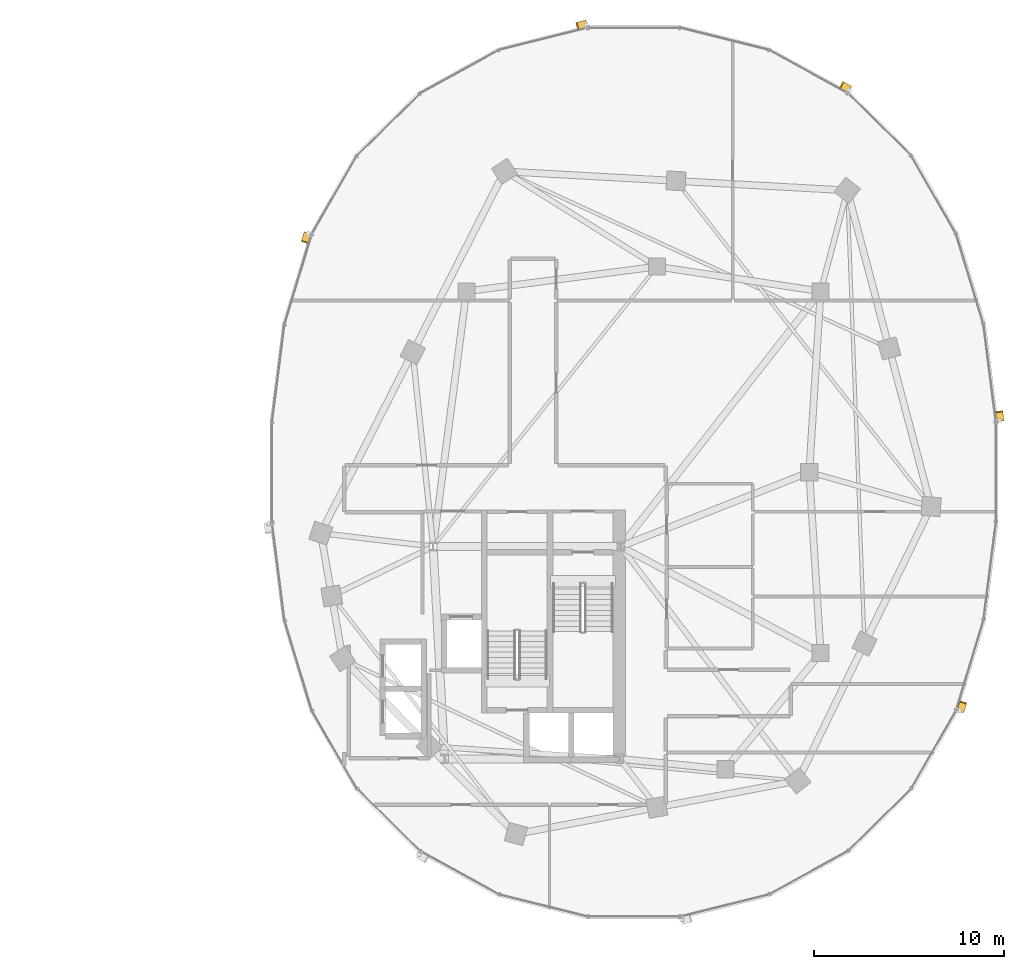
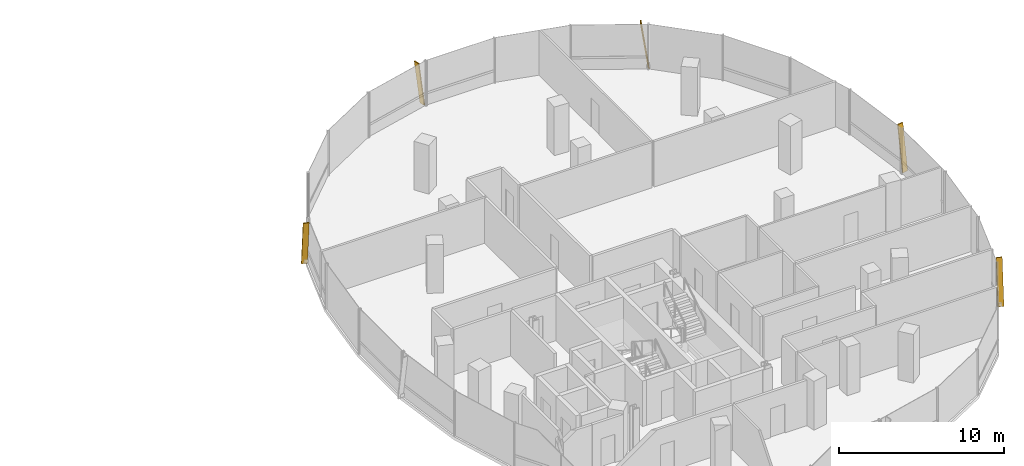
# One storey, part 22 of 22: 5 shading devices.
"""IFC4 building model written with IfcOpenShell, lengths in metres."""

from ifc_helpers import new_model, si_unit, direction, frame, origin, origin_2d, place, context, subcontext, project, spatial, rectangle, extrude, material, material_profile, profile_set, type_object, element, save


model = new_model("IFC4")

# Units and contexts
model_context = context("Model", 3, precision=1e-05, world=origin(), true_north=direction((0.0, 1.0)))
body_context = subcontext(model_context, "Body", "Model", "MODEL_VIEW")
ifc_project = project(units=[si_unit("LENGTHUNIT", "METRE"), si_unit("AREAUNIT", "SQUARE_METRE"), si_unit("VOLUMEUNIT", "CUBIC_METRE"), si_unit("PLANEANGLEUNIT", "RADIAN"), si_unit("MASSUNIT", "GRAM", prefix="KILO"), si_unit("THERMODYNAMICTEMPERATUREUNIT", "KELVIN"), si_unit("POWERUNIT", "WATT")], contexts=[model_context])

# Site, building, storey
site_placement = place(None, origin())
site = spatial("IfcSite", under=ifc_project, at=site_placement, CompositionType="ELEMENT")
building_placement = place(site_placement, origin())
building = spatial("IfcBuilding", under=site, at=building_placement, Name="Cundina Bronze Exchange", CompositionType="ELEMENT")
storey_placement = place(building_placement, frame((0.0, 0.0, 151.199951171875)))
storey = spatial("IfcBuildingStorey", under=building, at=storey_placement, Name="L39", CompositionType="ELEMENT", Elevation=151.199951171875)

# Shading devices
ifc_material = material(Name="Anodised Bronze Aluminium 6063-T6", Category="aluminium")
ifc_material_profile = material_profile(ifc_material, rectangle(XDim=0.070068359375, YDim=0.3798828125, at=origin_2d()), Name="FIN70X380", Category="aluminium")
ifc_profile_set = profile_set([ifc_material_profile], Name="Anodised Bronze Aluminium 6063-T6")
shading_device_type = type_object("IfcShadingDeviceType", Name="SHD-FIN-BRZ380", PredefinedType="USERDEFINED", material=ifc_profile_set)
for number, where, z_axis, x_axis, name in (
    (1, (51.23486328125, 2.705810546875, 0.02001953125), (-0.018121805099, 0.141917750773, 0.989712560391), (0.125360789044, -0.981741119016, 0.143070080046), "L39 Diagonal Bronze Solar Fin 1"),
    (2, (43.320068359375, 20.11181640625, 0.02001953125), (-0.125324460949, 0.068993954111, 0.989713905017), (0.867011652888, -0.477309551067, 0.143060778049), "L39 Diagonal Bronze Solar Fin 5"),
    (3, (29.48046875, 23.556396484375, 0.02001953125), (-0.138788401144, -0.034715294885, 0.989713407007), (0.960133415413, 0.240159223467, 0.14306422331), "L39 Diagonal Bronze Solar Fin 1"),
    (4, (14.848876953125, 12.5439453125, 0.02001953125), (-0.041483395017, -0.136967981441, 0.989706471636), (0.286882504107, 0.947215566191, 0.143112193758), "L39 Diagonal Bronze Solar Fin 5"),
    (5, (49.151123046875, -12.5439453125, 0.02001953125), (0.041483395017, 0.136967981441, 0.989706471636), (-0.286882504107, -0.947215566191, 0.143112193758), "L39 Diagonal Bronze Solar Fin 5"),
):
    element("IfcShadingDevice", number, at=place(storey_placement, frame(where, z_axis=z_axis, x_axis=x_axis)), inside=storey, type_object=shading_device_type, Name=name, ObjectType="FIN", PredefinedType="USERDEFINED", context=body_context, shape_type="SweptSolid", body=[
        extrude(rectangle(XDim=0.070068359375, YDim=0.3798828125, at=origin_2d()), origin(), (0.0, 0.0, 1.0), 3.3544921875),
    ])

save(model, "model.ifc")
